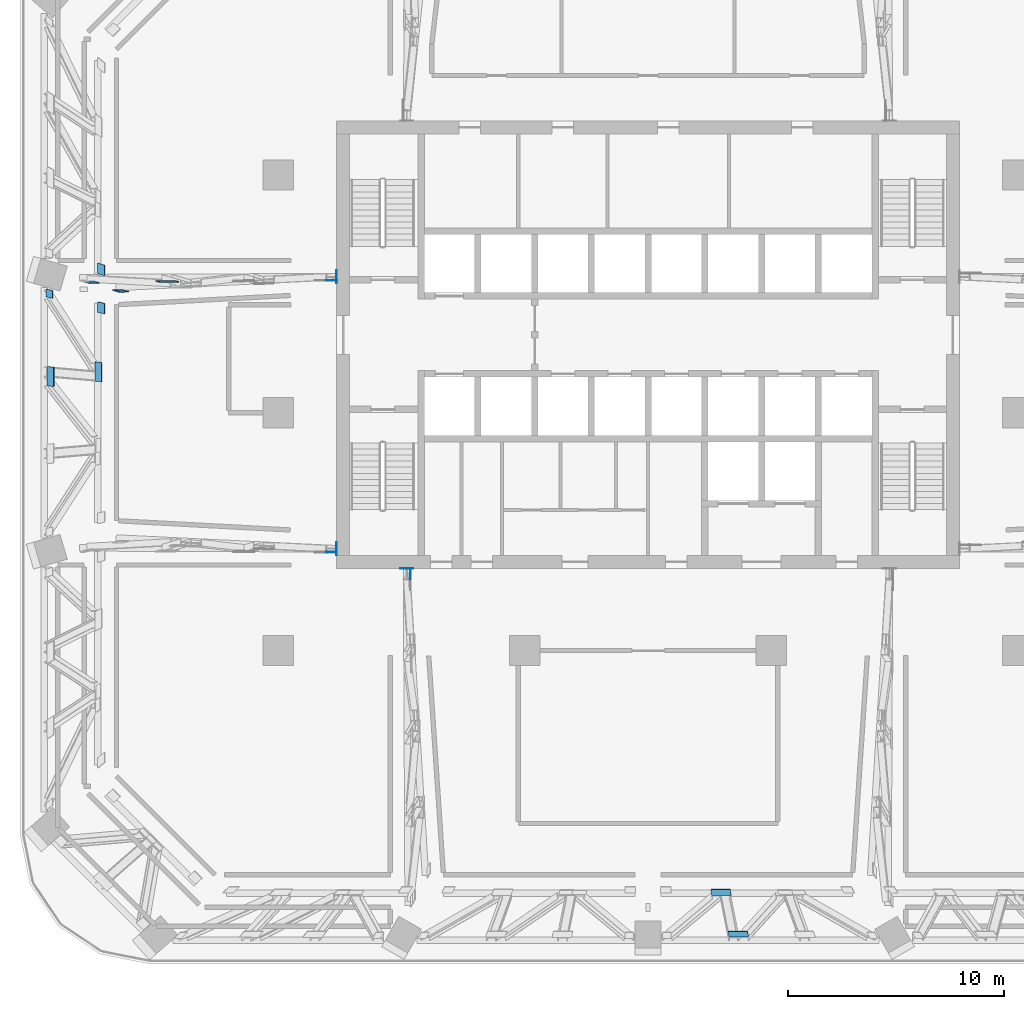
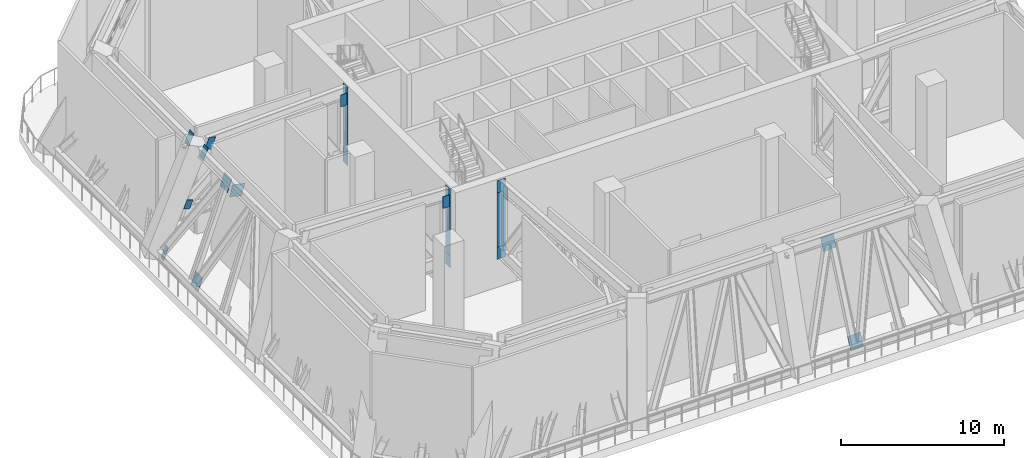
# One storey, part 10 of 24: 22 discrete accessories.
"""IFC4 building model written with IfcOpenShell, lengths in metres."""

from ifc_helpers import new_model, si_unit, direction, frame, origin, origin_2d, place, context, subcontext, project, spatial, rectangle, extrude, material, layer, layer_set, type_object, element, save


model = new_model("IFC4")

# Units and contexts
model_context = context("Model", 3, precision=1e-05, world=origin(), true_north=direction((0.0, 1.0)))
body_context = subcontext(model_context, "Body", "Model", "MODEL_VIEW")
ifc_project = project(units=[si_unit("LENGTHUNIT", "METRE"), si_unit("AREAUNIT", "SQUARE_METRE"), si_unit("VOLUMEUNIT", "CUBIC_METRE"), si_unit("PLANEANGLEUNIT", "RADIAN"), si_unit("MASSUNIT", "GRAM", prefix="KILO")], contexts=[model_context])

# Site, building, storey
site_placement = place(None, origin())
site = spatial("IfcSite", under=ifc_project, at=site_placement, CompositionType="ELEMENT")
building_placement = place(site_placement, origin())
building = spatial("IfcBuilding", under=site, at=building_placement, Name="Mopane Tessera Tower", CompositionType="ELEMENT")
storey_placement = place(building_placement, frame((0.0, 0.0, 148.60009765625)))
storey = spatial("IfcBuildingStorey", under=building, at=storey_placement, Name="L30", CompositionType="ELEMENT", Elevation=148.60009765625)

# Discrete accessories
ifc_material_1 = material(Name="Structural steel S460", Category="steel")
ifc_layer_1 = layer(ifc_material_1, 0.014892578125)
ifc_layer_set_1 = layer_set([ifc_layer_1], Name="Structural steel S460")
discrete_accessory_type_1 = type_object("IfcDiscreteAccessoryType", Name="Cast-in anchor plate 15 mm", PredefinedType="ANCHORPLATE", material=ifc_layer_set_1)
for number, where, z_axis, x_axis, name in (
    (1, (-14.407470703125, 6.291748046875, 2.099853515625), (0.0, 0.0, 1.0), (-1.0, 0.0, 0.0), "Cast-in anchor plate s ot L30 W1 b"),
    (2, (-14.407470703125, 6.291015625, 7.08984375), (0.0, 0.0, 1.0), (-1.0, 0.0, 0.0), "Cast-in anchor plate s ot L30 W1 t"),
):
    element("IfcDiscreteAccessory", number, at=place(storey_placement, frame(where, z_axis=z_axis, x_axis=x_axis)), inside=storey, type_object=discrete_accessory_type_1, Name=name, PredefinedType="ANCHORPLATE", context=body_context, shape_type="SweptSolid", body=[
        extrude(rectangle(XDim=0.014892578125, YDim=0.60205078125, at=origin_2d()), origin(), (0.0, 0.0, 1.0), 0.91015625),
    ])
discrete_accessory_1_placement = place(storey_placement, frame((-14.407470703125, 6.291259765625, 3.010009765625), z_axis=(0.0, 0.0, 1.0), x_axis=(-1.0, 0.0, 0.0)))
element("IfcDiscreteAccessory", 3, at=discrete_accessory_1_placement, inside=storey, type_object=discrete_accessory_type_1, Name="Cast-in anchor plate s ot L30 W1 p", PredefinedType="ANCHORPLATE", context=body_context, shape_type="SweptSolid", body=[
    extrude(rectangle(XDim=0.014892578125, YDim=0.60205078125, at=origin_2d()), origin(), (0.0, 0.0, 1.0), 4.079833984375),
])
for number, where, z_axis, x_axis, name in (
    (4, (-14.407470703125, -6.291748046875, 2.099853515625), (0.0, 0.0, 1.0), (-1.0, 0.0, 0.0), "Cast-in anchor plate s ot L30 W2 b"),
    (5, (-14.407470703125, -6.291015625, 7.08984375), (0.0, 0.0, 1.0), (-1.0, 0.0, 0.0), "Cast-in anchor plate s ot L30 W2 t"),
):
    element("IfcDiscreteAccessory", number, at=place(storey_placement, frame(where, z_axis=z_axis, x_axis=x_axis)), inside=storey, type_object=discrete_accessory_type_1, Name=name, PredefinedType="ANCHORPLATE", context=body_context, shape_type="SweptSolid", body=[
        extrude(rectangle(XDim=0.014892578125, YDim=0.60205078125, at=origin_2d()), origin(), (0.0, 0.0, 1.0), 0.91015625),
    ])
discrete_accessory_2_placement = place(storey_placement, frame((-14.407470703125, -6.291259765625, 3.010009765625), z_axis=(0.0, 0.0, 1.0), x_axis=(-1.0, 0.0, 0.0)))
element("IfcDiscreteAccessory", 6, at=discrete_accessory_2_placement, inside=storey, type_object=discrete_accessory_type_1, Name="Cast-in anchor plate s ot L30 W2 p", PredefinedType="ANCHORPLATE", context=body_context, shape_type="SweptSolid", body=[
    extrude(rectangle(XDim=0.014892578125, YDim=0.60205078125, at=origin_2d()), origin(), (0.0, 0.0, 1.0), 4.079833984375),
])
for number, where, z_axis, x_axis, name in (
    (7, (-11.168701171875, -7.20751953125, 2.099853515625), (0.0, 0.0, 1.0), (0.0, -1.0, 0.0), "Cast-in anchor plate s ot L30 S1 b"),
    (8, (-11.167724609375, -7.20751953125, 7.08984375), (0.0, 0.0, 1.0), (0.0, -1.0, 0.0), "Cast-in anchor plate s ot L30 S1 t"),
):
    element("IfcDiscreteAccessory", number, at=place(storey_placement, frame(where, z_axis=z_axis, x_axis=x_axis)), inside=storey, type_object=discrete_accessory_type_1, Name=name, PredefinedType="ANCHORPLATE", context=body_context, shape_type="SweptSolid", body=[
        extrude(rectangle(XDim=0.014892578125, YDim=0.60205078125, at=origin_2d()), origin(), (0.0, 0.0, 1.0), 0.91015625),
    ])
discrete_accessory_3_placement = place(storey_placement, frame((-11.168212890625, -7.20751953125, 3.010009765625), z_axis=(0.0, 0.0, 1.0), x_axis=(0.0, -1.0, 0.0)))
element("IfcDiscreteAccessory", 9, at=discrete_accessory_3_placement, inside=storey, type_object=discrete_accessory_type_1, Name="Cast-in anchor plate s ot L30 S1 p", PredefinedType="ANCHORPLATE", context=body_context, shape_type="SweptSolid", body=[
    extrude(rectangle(XDim=0.014892578125, YDim=0.60205078125, at=origin_2d()), origin(), (0.0, 0.0, 1.0), 4.079833984375),
])
ifc_material_2 = material(Name="Structural steel S460", Category="steel")
ifc_layer_2 = layer(ifc_material_2, 0.030029296875)
ifc_layer_set_2 = layer_set([ifc_layer_2], Name="Structural steel S460")
discrete_accessory_type_2 = type_object("IfcDiscreteAccessoryType", Name="Truss node plate 30 mm", PredefinedType="BRACKET", material=ifc_layer_set_2)
discrete_accessory_4_placement = place(storey_placement, frame((-14.6376953125, 6.1162109375, 6.639892578125), z_axis=(0.007053528576, -0.001899026924, 0.99997332036), x_axis=(0.024950793223, -0.999686528097, -0.002074478112)))
element("IfcDiscreteAccessory", 10, at=discrete_accessory_4_placement, inside=storey, type_object=discrete_accessory_type_2, Name="Truss node plate s ot L30 W1 1", PredefinedType="BRACKET", context=body_context, shape_type="SweptSolid", body=[
    extrude(rectangle(XDim=0.030029296875, YDim=0.489990234375, at=origin_2d()), origin(), (0.0, 0.0, 1.0), 0.89990234375),
])
discrete_accessory_5_placement = place(storey_placement, frame((-22.32763671875, 6.097412109375, 2.559814453125), z_axis=(0.205584201057, -0.060138677371, 0.976789883117), x_axis=(-0.009145166292, -0.998184557828, -0.059531121667)))
element("IfcDiscreteAccessory", 11, at=discrete_accessory_5_placement, inside=storey, type_object=discrete_accessory_type_2, Name="Truss node plate s ot L30 W1 8", PredefinedType="BRACKET", context=body_context, shape_type="SweptSolid", body=[
    extrude(rectangle(XDim=0.030029296875, YDim=0.89990234375, at=origin_2d()), origin(), (0.0, 0.0, 1.0), 0.921630859375),
])
discrete_accessory_6_placement = place(storey_placement, frame((-24.522705078125, 5.679443359375, 7.094970703125), z_axis=(0.291093975679, -0.085053213142, 0.95290621168), x_axis=(-0.021463011906, -0.996370167906, -0.082376135061)))
element("IfcDiscreteAccessory", 12, at=discrete_accessory_6_placement, inside=storey, type_object=discrete_accessory_type_2, Name="Truss node plate s ot L30 W1 11", PredefinedType="BRACKET", context=body_context, shape_type="SweptSolid", body=[
    extrude(rectangle(XDim=0.030029296875, YDim=0.489990234375, at=origin_2d()), origin(), (0.0, 0.0, 1.0), 0.9443359375),
])
discrete_accessory_7_placement = place(storey_placement, frame((-25.816650390625, 6.0556640625, 2.88427734375), z_axis=(0.291377366267, -0.085227879633, 0.952803987692), x_axis=(-0.021794131855, -0.996356148145, -0.082458728281)))
element("IfcDiscreteAccessory", 13, at=discrete_accessory_7_placement, inside=storey, type_object=discrete_accessory_type_2, Name="Truss node plate s ot L30 W1 12", PredefinedType="BRACKET", context=body_context, shape_type="SweptSolid", body=[
    extrude(rectangle(XDim=0.030029296875, YDim=0.474853515625, at=origin_2d()), origin(), (0.0, 0.0, 1.0), 0.67041015625),
])
for number, where, z_axis, x_axis, name in (
    (14, (-14.638916015625, -6.4482421875, 6.639892578125), (0.007053524682, 0.002170315287, 0.99997276839), (0.010550694805, -0.9999421435, 0.002095827206), "Truss node plate s ot L30 W2 1"),
    (15, (-10.990234375, -7.4462890625, 6.639892578125), (0.002712925656, 0.004883266181, 0.999984396751), (0.999875000882, 0.015562974145, -0.0027886282), "Truss node plate s ot L30 S1 1"),
):
    element("IfcDiscreteAccessory", number, at=place(storey_placement, frame(where, z_axis=z_axis, x_axis=x_axis)), inside=storey, type_object=discrete_accessory_type_2, Name=name, PredefinedType="BRACKET", context=body_context, shape_type="SweptSolid", body=[
        extrude(rectangle(XDim=0.030029296875, YDim=0.489990234375, at=origin_2d()), origin(), (0.0, 0.0, 1.0), 0.89990234375),
    ])
discrete_accessory_8_placement = place(storey_placement, frame((3.400146484375, -22.3076171875, 6.80517578125), z_axis=(-0.053229644223, 0.284843510795, 0.957094968816), x_axis=(0.015799048046, 0.958574031595, -0.28440502111)))
element("IfcDiscreteAccessory", 16, at=discrete_accessory_8_placement, inside=storey, type_object=discrete_accessory_type_2, Name="Truss node plate s bt L30 S2-S3 2", PredefinedType="BRACKET", context=body_context, shape_type="SweptSolid", body=[
    extrude(rectangle(XDim=0.030029296875, YDim=0.89990234375, at=origin_2d()), origin(), (0.0, 0.0, 1.0), 0.940185546875),
])
discrete_accessory_9_placement = place(storey_placement, frame((4.2060546875, -24.24658203125, 0.290771484375), z_axis=(-0.059694768497, 0.284977633954, 0.956673550779), x_axis=(0.017144369117, 0.958533991322, -0.284462050346)))
element("IfcDiscreteAccessory", 17, at=discrete_accessory_9_placement, inside=storey, type_object=discrete_accessory_type_2, Name="Truss node plate s bt L30 S2-S3 3", PredefinedType="BRACKET", context=body_context, shape_type="SweptSolid", body=[
    extrude(rectangle(XDim=0.030029296875, YDim=0.89990234375, at=origin_2d()), origin(), (0.0, 0.0, 1.0), 0.940673828125),
])
discrete_accessory_10_placement = place(storey_placement, frame((-25.44287109375, 6.6845703125, 7.19189453125), z_axis=(0.319514631758, -0.10778191415, 0.941431600848), x_axis=(0.947581274564, 0.036718331253, -0.3173980029)))
element("IfcDiscreteAccessory", 18, at=discrete_accessory_10_placement, inside=storey, type_object=discrete_accessory_type_2, Name="Truss node plate s bt L30 W0-W1 7", PredefinedType="BRACKET", context=body_context, shape_type="SweptSolid", body=[
    extrude(rectangle(XDim=0.030029296875, YDim=0.489990234375, at=origin_2d()), origin(), (0.0, 0.0, 1.0), 0.955810546875),
])
discrete_accessory_11_placement = place(storey_placement, frame((-27.8408203125, 5.544921875, 0.1240234375), z_axis=(0.320052190562, -0.079885026764, 0.944025941283), x_axis=(0.947399871363, 0.027282616328, -0.318887350938)))
element("IfcDiscreteAccessory", 19, at=discrete_accessory_11_placement, inside=storey, type_object=discrete_accessory_type_2, Name="Truss node plate s bt L30 W1-W2 0", PredefinedType="BRACKET", context=body_context, shape_type="SweptSolid", body=[
    extrude(rectangle(XDim=0.030029296875, YDim=0.3623046875, at=origin_2d()), origin(), (0.0, 0.0, 1.0), 0.95361328125),
])
discrete_accessory_12_placement = place(storey_placement, frame((-25.44287109375, 4.888671875, 7.19189453125), z_axis=(0.320378968418, -0.079134373494, 0.943978319416), x_axis=(0.947289457433, 0.026741869188, -0.319260953247)))
element("IfcDiscreteAccessory", 20, at=discrete_accessory_12_placement, inside=storey, type_object=discrete_accessory_type_2, Name="Truss node plate s bt L30 W1-W2 1", PredefinedType="BRACKET", context=body_context, shape_type="SweptSolid", body=[
    extrude(rectangle(XDim=0.030029296875, YDim=0.489990234375, at=origin_2d()), origin(), (0.0, 0.0, 1.0), 0.953369140625),
])
for number, where, z_axis, x_axis, name in (
    (21, (-25.576904296875, 1.91015625, 6.796630859375), (0.321156181532, -0.030806348348, 0.946525053005), (0.947026241651, 0.010374803446, -0.320988568454), "Truss node plate s bt L30 W1-W2 2"),
    (22, (-27.781494140625, 1.687255859375, 0.29931640625), (0.321213079678, -0.024392679912, 0.946692745621), (0.947006898799, 0.008592256767, -0.321098282073), "Truss node plate s bt L30 W1-W2 3"),
):
    element("IfcDiscreteAccessory", number, at=place(storey_placement, frame(where, z_axis=z_axis, x_axis=x_axis)), inside=storey, type_object=discrete_accessory_type_2, Name=name, PredefinedType="BRACKET", context=body_context, shape_type="SweptSolid", body=[
        extrude(rectangle(XDim=0.030029296875, YDim=0.89990234375, at=origin_2d()), origin(), (0.0, 0.0, 1.0), 0.950927734375),
    ])

save(model, "model.ifc")
